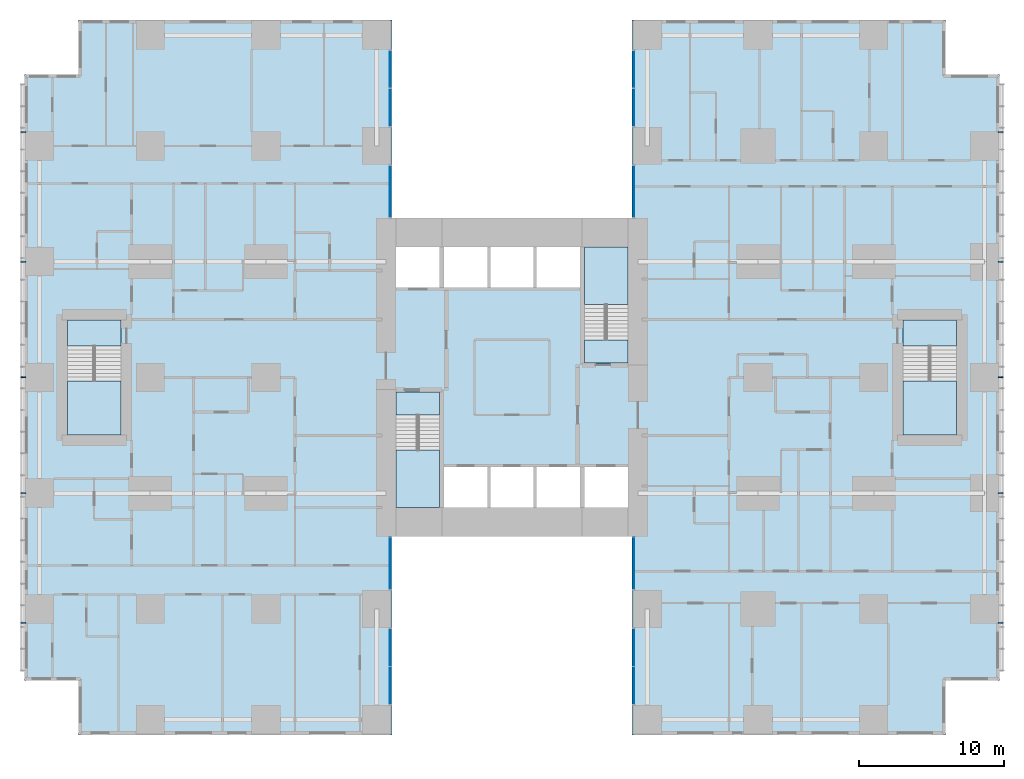
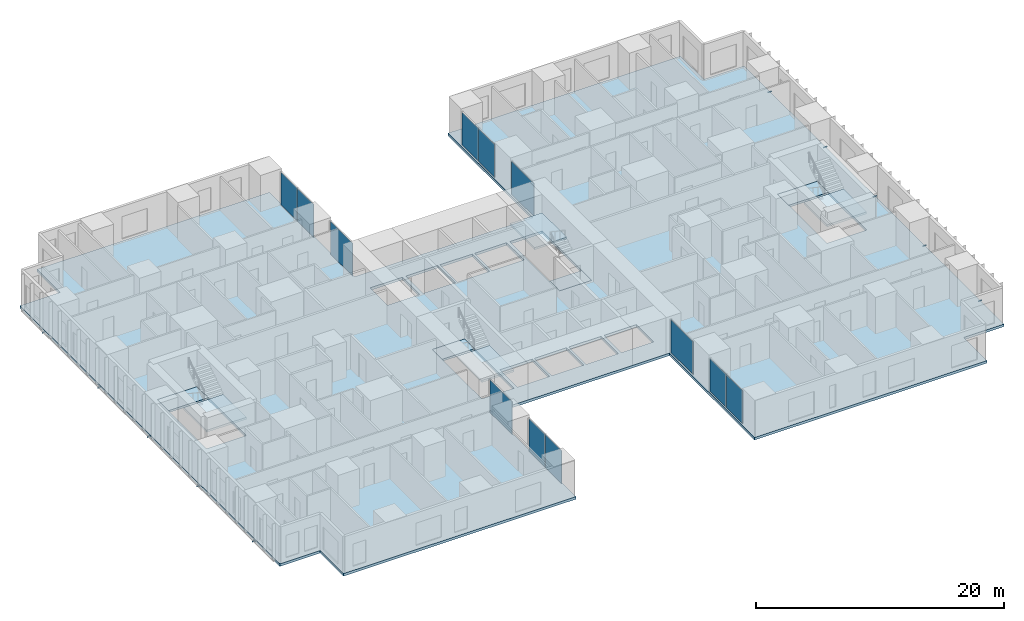
# One storey, part 7 of 20: 12 plates, 10 members, 9 slabs, 12 elements without a shape of their own.
"""IFC4 building model written with IfcOpenShell, lengths in metres."""

from ifc_helpers import new_model, si_unit, direction, frame, origin, origin_2d, place, context, subcontext, project, spatial, polyline, rectangle, hollow_rectangle, outline, extrude, material, layer, layer_set, material_profile, profile_set, type_object, element, aggregate, save


model = new_model("IFC4")

# Units and contexts
model_context = context("Model", 3, precision=1e-05, world=origin(), true_north=direction((0.0, 1.0)))
body_context = subcontext(model_context, "Body", "Model", "MODEL_VIEW")
ifc_project = project(units=[si_unit("LENGTHUNIT", "METRE"), si_unit("AREAUNIT", "SQUARE_METRE"), si_unit("VOLUMEUNIT", "CUBIC_METRE"), si_unit("PLANEANGLEUNIT", "RADIAN"), si_unit("MASSUNIT", "GRAM", prefix="KILO")], contexts=[model_context])

# Site, building, storey
site_placement = place(None, origin())
site = spatial("IfcSite", under=ifc_project, at=site_placement, CompositionType="ELEMENT")
building_placement = place(site_placement, origin())
building = spatial("IfcBuilding", under=site, at=building_placement, Name="Cleftline Residences", CompositionType="ELEMENT")
storey_placement = place(building_placement, frame((0.0, 0.0, 150.199951171875)))
storey = spatial("IfcBuildingStorey", under=building, at=storey_placement, Name="L39", CompositionType="ELEMENT", Elevation=150.199951171875)

# Members
ifc_material_1 = material(Name="Steel S355, hot-dip galvanised", Category="steel")
ifc_material_profile = material_profile(ifc_material_1, hollow_rectangle(XDim=0.10009765625, YDim=0.10009765625, WallThickness=0.008056640625, InnerFilletRadius=0.008056640625, OuterFilletRadius=0.011962890625, at=origin_2d()))
ifc_profile_set = profile_set([ifc_material_profile], Name="Steel S355, hot-dip galvanised")
member_type = type_object("IfcMemberType", Name="BAGUETTE BRACKET SHS 100X100X8", PredefinedType="USERDEFINED", material=ifc_profile_set)
for number, where, z_axis, x_axis, name in (
    (1, (66.60009765625, 7.050048828125, -0.14990234375), (1.0, 0.0, 0.0), (0.0, 1.0, 0.0), "Baguette bracket"),
    (2, (66.60009765625, 16.0, -0.14990234375), (1.0, 0.0, 0.0), (0.0, 1.0, 0.0), "Baguette bracket"),
    (3, (66.60009765625, 24.0, -0.14990234375), (1.0, 0.0, 0.0), (0.0, 1.0, 0.0), "Baguette bracket"),
    (4, (66.60009765625, 32.0, -0.14990234375), (1.0, 0.0, 0.0), (0.0, 1.0, 0.0), "Baguette bracket"),
    (5, (66.60009765625, 40.949951171875, -0.14990234375), (1.0, 0.0, 0.0), (0.0, 1.0, 0.0), "Baguette bracket"),
    (6, (-0.60009765625, 40.949951171875, -0.14990234375), (-1.0, 0.0, 0.0), (0.0, -1.0, 0.0), "Baguette bracket"),
    (7, (-0.60009765625, 32.0, -0.14990234375), (-1.0, 0.0, 0.0), (0.0, -1.0, 0.0), "Baguette bracket"),
    (8, (-0.60009765625, 24.0, -0.14990234375), (-1.0, 0.0, 0.0), (0.0, -1.0, 0.0), "Baguette bracket"),
    (9, (-0.60009765625, 16.0, -0.14990234375), (-1.0, 0.0, 0.0), (0.0, -1.0, 0.0), "Baguette bracket"),
    (10, (-0.60009765625, 7.050048828125, -0.14990234375), (-1.0, 0.0, 0.0), (0.0, -1.0, 0.0), "Baguette bracket"),
):
    element("IfcMember", number, at=place(storey_placement, frame(where, z_axis=z_axis, x_axis=x_axis)), inside=storey, type_object=member_type, Name=name, ObjectType="BAGUETTE BRACKET", PredefinedType="USERDEFINED", context=body_context, shape_type="SweptSolid", body=[
        extrude(hollow_rectangle(XDim=0.10009765625, YDim=0.10009765625, WallThickness=0.008056640625, InnerFilletRadius=0.008056640625, OuterFilletRadius=0.011962890625, at=origin_2d()), origin(), (0.0, 0.0, 1.0), 0.349853515625),
    ])

# Curtain wall, plates
ifc_material_2 = material(Name="Aluminium framed curtain wall", Category="aluminium")
ifc_layer_1 = layer(ifc_material_2, 0.199951171875)
ifc_layer_set_1 = layer_set([ifc_layer_1], Name="CW1 CLEFT GLAZING")
curtain_wall_type = type_object("IfcCurtainWallType", Name="CW1 CLEFT GLAZING", PredefinedType="NOTDEFINED", material=ifc_layer_set_1)
curtain_wall_1_placement = place(storey_placement, origin())
curtain_wall_1 = element("IfcCurtainWall", 11, at=curtain_wall_1_placement, inside=storey, type_object=curtain_wall_type, Name="Curtain wall CW1", PredefinedType="NOTDEFINED")
ifc_material_3 = material(Name="Laminated clear glass", Category="glass")
ifc_layer_2 = layer(ifc_material_3, 0.028076171875)
ifc_layer_set_2 = layer_set([ifc_layer_2], Name="CW1 GLASS PANEL")
plate_type = type_object("IfcPlateType", Name="CW1 GLASS PANEL", PredefinedType="CURTAIN_PANEL", material=ifc_layer_set_2)
plate_1_placement = place(storey_placement, frame((24.574951171875, 2.702392578125, 0.06005859375), z_axis=(0.0, 0.0, 1.0), x_axis=(0.0, 1.0, 0.0)))
plate_1 = element("IfcPlate", 12, at=plate_1_placement, type_object=plate_type, Name="CW1 panel 1.1", PredefinedType="CURTAIN_PANEL", context=body_context, shape_type="SweptSolid", body=[
    extrude(rectangle(XDim=2.5849609375, YDim=0.028076171875, at=origin_2d()), origin(), (0.0, 0.0, 1.0), 3.22998046875),
])
plate_2_placement = place(storey_placement, frame((24.574951171875, 5.347412109375, 0.06005859375), z_axis=(0.0, 0.0, 1.0), x_axis=(0.0, 1.0, 0.0)))
plate_2 = element("IfcPlate", 13, at=plate_2_placement, type_object=plate_type, Name="CW1 panel 2.1", PredefinedType="CURTAIN_PANEL", context=body_context, shape_type="SweptSolid", body=[
    extrude(rectangle(XDim=2.5849609375, YDim=0.028076171875, at=origin_2d()), origin(), (0.0, 0.0, 1.0), 3.22998046875),
])
aggregate(curtain_wall_1, [plate_1, plate_2])

# Curtain wall, plate
curtain_wall_2_placement = place(storey_placement, origin())
curtain_wall_2 = element("IfcCurtainWall", 14, at=curtain_wall_2_placement, inside=storey, type_object=curtain_wall_type, Name="Curtain wall CW1", PredefinedType="NOTDEFINED")
plate_3_placement = place(storey_placement, frame((24.574951171875, 11.14990234375, 0.06005859375), z_axis=(0.0, 0.0, 1.0), x_axis=(0.0, 1.0, 0.0)))
plate_3 = element("IfcPlate", 15, at=plate_3_placement, type_object=plate_type, Name="CW1 panel 1.1", PredefinedType="CURTAIN_PANEL", context=body_context, shape_type="SweptSolid", body=[
    extrude(rectangle(XDim=3.580078125, YDim=0.028076171875, at=origin_2d()), origin(), (0.0, 0.0, 1.0), 3.22998046875),
])
aggregate(curtain_wall_2, [plate_3])

curtain_wall_3_placement = place(storey_placement, origin())
curtain_wall_3 = element("IfcCurtainWall", 16, at=curtain_wall_3_placement, inside=storey, type_object=curtain_wall_type, Name="Curtain wall CW1", PredefinedType="NOTDEFINED")
plate_4_placement = place(storey_placement, frame((41.425048828125, 11.14990234375, 0.06005859375), z_axis=(0.0, 0.0, 1.0), x_axis=(0.0, -1.0, 0.0)))
plate_4 = element("IfcPlate", 17, at=plate_4_placement, type_object=plate_type, Name="CW1 panel 1.1", PredefinedType="CURTAIN_PANEL", context=body_context, shape_type="SweptSolid", body=[
    extrude(rectangle(XDim=3.580078125, YDim=0.028076171875, at=origin_2d()), origin(), (0.0, 0.0, 1.0), 3.22998046875),
])
aggregate(curtain_wall_3, [plate_4])

# Curtain wall, plates
curtain_wall_4_placement = place(storey_placement, origin())
curtain_wall_4 = element("IfcCurtainWall", 18, at=curtain_wall_4_placement, inside=storey, type_object=curtain_wall_type, Name="Curtain wall CW1", PredefinedType="NOTDEFINED")
plate_5_placement = place(storey_placement, frame((41.425048828125, 5.347412109375, 0.06005859375), z_axis=(0.0, 0.0, 1.0), x_axis=(0.0, -1.0, 0.0)))
plate_5 = element("IfcPlate", 19, at=plate_5_placement, type_object=plate_type, Name="CW1 panel 1.1", PredefinedType="CURTAIN_PANEL", context=body_context, shape_type="SweptSolid", body=[
    extrude(rectangle(XDim=2.5849609375, YDim=0.028076171875, at=origin_2d()), origin(), (0.0, 0.0, 1.0), 3.22998046875),
])
plate_6_placement = place(storey_placement, frame((41.425048828125, 2.702392578125, 0.06005859375), z_axis=(0.0, 0.0, 1.0), x_axis=(0.0, -1.0, 0.0)))
plate_6 = element("IfcPlate", 20, at=plate_6_placement, type_object=plate_type, Name="CW1 panel 2.1", PredefinedType="CURTAIN_PANEL", context=body_context, shape_type="SweptSolid", body=[
    extrude(rectangle(XDim=2.5849609375, YDim=0.028076171875, at=origin_2d()), origin(), (0.0, 0.0, 1.0), 3.22998046875),
])
aggregate(curtain_wall_4, [plate_5, plate_6])

curtain_wall_5_placement = place(storey_placement, origin())
curtain_wall_5 = element("IfcCurtainWall", 21, at=curtain_wall_5_placement, inside=storey, type_object=curtain_wall_type, Name="Curtain wall CW1", PredefinedType="NOTDEFINED")
plate_7_placement = place(storey_placement, frame((41.425048828125, 45.297607421875, 0.06005859375), z_axis=(0.0, 0.0, 1.0), x_axis=(0.0, -1.0, 0.0)))
plate_7 = element("IfcPlate", 22, at=plate_7_placement, type_object=plate_type, Name="CW1 panel 1.1", PredefinedType="CURTAIN_PANEL", context=body_context, shape_type="SweptSolid", body=[
    extrude(rectangle(XDim=2.5849609375, YDim=0.028076171875, at=origin_2d()), origin(), (0.0, 0.0, 1.0), 3.22998046875),
])
plate_8_placement = place(storey_placement, frame((41.425048828125, 42.652587890625, 0.06005859375), z_axis=(0.0, 0.0, 1.0), x_axis=(0.0, -1.0, 0.0)))
plate_8 = element("IfcPlate", 23, at=plate_8_placement, type_object=plate_type, Name="CW1 panel 2.1", PredefinedType="CURTAIN_PANEL", context=body_context, shape_type="SweptSolid", body=[
    extrude(rectangle(XDim=2.5849609375, YDim=0.028076171875, at=origin_2d()), origin(), (0.0, 0.0, 1.0), 3.22998046875),
])
aggregate(curtain_wall_5, [plate_7, plate_8])

# Curtain wall, plate
curtain_wall_6_placement = place(storey_placement, origin())
curtain_wall_6 = element("IfcCurtainWall", 24, at=curtain_wall_6_placement, inside=storey, type_object=curtain_wall_type, Name="Curtain wall CW1", PredefinedType="NOTDEFINED")
plate_9_placement = place(storey_placement, frame((41.425048828125, 36.85009765625, 0.06005859375), z_axis=(0.0, 0.0, 1.0), x_axis=(0.0, -1.0, 0.0)))
plate_9 = element("IfcPlate", 25, at=plate_9_placement, type_object=plate_type, Name="CW1 panel 1.1", PredefinedType="CURTAIN_PANEL", context=body_context, shape_type="SweptSolid", body=[
    extrude(rectangle(XDim=3.580078125, YDim=0.028076171875, at=origin_2d()), origin(), (0.0, 0.0, 1.0), 3.22998046875),
])
aggregate(curtain_wall_6, [plate_9])

curtain_wall_7_placement = place(storey_placement, origin())
curtain_wall_7 = element("IfcCurtainWall", 26, at=curtain_wall_7_placement, inside=storey, type_object=curtain_wall_type, Name="Curtain wall CW1", PredefinedType="NOTDEFINED")
plate_10_placement = place(storey_placement, frame((24.574951171875, 36.85009765625, 0.06005859375), z_axis=(0.0, 0.0, 1.0), x_axis=(0.0, 1.0, 0.0)))
plate_10 = element("IfcPlate", 27, at=plate_10_placement, type_object=plate_type, Name="CW1 panel 1.1", PredefinedType="CURTAIN_PANEL", context=body_context, shape_type="SweptSolid", body=[
    extrude(rectangle(XDim=3.580078125, YDim=0.028076171875, at=origin_2d()), origin(), (0.0, 0.0, 1.0), 3.22998046875),
])
aggregate(curtain_wall_7, [plate_10])

# Curtain wall, plates
curtain_wall_8_placement = place(storey_placement, origin())
curtain_wall_8 = element("IfcCurtainWall", 28, at=curtain_wall_8_placement, inside=storey, type_object=curtain_wall_type, Name="Curtain wall CW1", PredefinedType="NOTDEFINED")
plate_11_placement = place(storey_placement, frame((24.574951171875, 42.652587890625, 0.06005859375), z_axis=(0.0, 0.0, 1.0), x_axis=(0.0, 1.0, 0.0)))
plate_11 = element("IfcPlate", 29, at=plate_11_placement, type_object=plate_type, Name="CW1 panel 1.1", PredefinedType="CURTAIN_PANEL", context=body_context, shape_type="SweptSolid", body=[
    extrude(rectangle(XDim=2.5849609375, YDim=0.028076171875, at=origin_2d()), origin(), (0.0, 0.0, 1.0), 3.22998046875),
])
plate_12_placement = place(storey_placement, frame((24.574951171875, 45.297607421875, 0.06005859375), z_axis=(0.0, 0.0, 1.0), x_axis=(0.0, 1.0, 0.0)))
plate_12 = element("IfcPlate", 30, at=plate_12_placement, type_object=plate_type, Name="CW1 panel 2.1", PredefinedType="CURTAIN_PANEL", context=body_context, shape_type="SweptSolid", body=[
    extrude(rectangle(XDim=2.5849609375, YDim=0.028076171875, at=origin_2d()), origin(), (0.0, 0.0, 1.0), 3.22998046875),
])
aggregate(curtain_wall_8, [plate_11, plate_12])

# Slab
ifc_material_4 = material(Name="Concrete B45", Category="concrete")
ifc_layer_3 = layer(ifc_material_4, 0.25)
ifc_layer_set_3 = layer_set([ifc_layer_3], Name="FLOOR SLAB 250")
slab_type_1 = type_object("IfcSlabType", Name="FLOOR SLAB 250", PredefinedType="FLOOR", material=ifc_layer_set_3)
slab_1_placement = place(storey_placement, frame((0.0, 0.0, -0.25)))
element("IfcSlab", 31, at=slab_1_placement, inside=storey, type_object=slab_type_1, Name="Floor slab L39", PredefinedType="FLOOR", context=body_context, shape_type="SweptSolid", body=[
    extrude(outline(polyline([(24.699951171875, 13.0), (41.300048828125, 13.0), (41.300048828125, -0.699951171875), (62.949951171875, -0.699951171875), (62.949951171875, 3.050048828125), (66.699951171875, 3.050048828125), (66.699951171875, 44.949951171875), (62.949951171875, 44.949951171875), (62.949951171875, 48.699951171875), (41.300048828125, 48.699951171875), (41.300048828125, 35.0), (24.699951171875, 35.0), (24.699951171875, 48.699951171875), (3.050048828125, 48.699951171875), (3.050048828125, 44.949951171875), (-0.699951171875, 44.949951171875), (-0.699951171875, 3.050048828125), (3.050048828125, 3.050048828125), (3.050048828125, -0.699951171875), (24.699951171875, -0.699951171875), (24.699951171875, 13.0)]), holes=[polyline([(28.0, 15.0), (28.0, 23.0), (25.0, 23.0), (25.0, 15.0), (28.0, 15.0)]), polyline([(41.0, 25.0), (41.0, 33.0), (38.0, 33.0), (38.0, 25.0), (41.0, 25.0)]), polyline([(28.0, 30.199951171875), (28.0, 33.0), (25.0, 33.0), (25.0, 30.199951171875), (28.0, 30.199951171875)]), polyline([(41.0, 15.0), (41.0, 17.800048828125), (38.0, 17.800048828125), (38.0, 15.0), (41.0, 15.0)]), polyline([(31.300048828125, 15.0), (31.300048828125, 17.800048828125), (28.300048828125, 17.800048828125), (28.300048828125, 15.0), (31.300048828125, 15.0)]), polyline([(34.5, 15.0), (34.5, 17.800048828125), (31.5, 17.800048828125), (31.5, 15.0), (34.5, 15.0)]), polyline([(37.699951171875, 15.0), (37.699951171875, 17.800048828125), (34.699951171875, 17.800048828125), (34.699951171875, 15.0), (37.699951171875, 15.0)]), polyline([(31.300048828125, 30.199951171875), (31.300048828125, 33.0), (28.300048828125, 33.0), (28.300048828125, 30.199951171875), (31.300048828125, 30.199951171875)]), polyline([(34.5, 30.199951171875), (34.5, 33.0), (31.5, 33.0), (31.5, 30.199951171875), (34.5, 30.199951171875)]), polyline([(37.699951171875, 30.199951171875), (37.699951171875, 33.0), (34.699951171875, 33.0), (34.699951171875, 30.199951171875), (37.699951171875, 30.199951171875)]), polyline([(63.72509765625, 20.02490234375), (63.72509765625, 27.97509765625), (60.02490234375, 27.97509765625), (60.02490234375, 20.02490234375), (63.72509765625, 20.02490234375)]), polyline([(5.97509765625, 20.02490234375), (5.97509765625, 27.97509765625), (2.27490234375, 27.97509765625), (2.27490234375, 20.02490234375), (5.97509765625, 20.02490234375)])]), origin(), (0.0, 0.0, 1.0), 0.25),
])

# Stair, slabs
ifc_material_5 = material(Name="Concrete B45, stone treads", Category="masonry")
stair_type_1 = type_object("IfcStairType", Name="STAIR A 1450 WIDE 180 RISER", PredefinedType="HALF_TURN_STAIR", material=ifc_material_5)
stair_1_placement = place(storey_placement, origin())
stair_1 = element("IfcStair", 32, at=stair_1_placement, inside=storey, type_object=stair_type_1, Name="Stair A L39", PredefinedType="HALF_TURN_STAIR")
ifc_material_6 = material(Name="Concrete B45", Category="concrete")
ifc_layer_4 = layer(ifc_material_6, 0.199951171875)
ifc_layer_set_4 = layer_set([ifc_layer_4], Name="STAIR LANDING 200")
slab_type_2 = type_object("IfcSlabType", Name="STAIR LANDING 200", PredefinedType="LANDING", material=ifc_layer_set_4)
slab_2_placement = place(storey_placement, frame((0.0, 0.0, -0.199951171875)))
slab_2 = element("IfcSlab", 33, at=slab_2_placement, type_object=slab_type_2, Name="ST-A landing 1", PredefinedType="LANDING", context=body_context, shape_type="SweptSolid", body=[
    extrude(outline(polyline([(25.0, 21.39990234375), (28.0, 21.39990234375), (28.0, 23.0), (25.0, 23.0), (25.0, 21.39990234375)])), origin(), (0.0, 0.0, 1.0), 0.199951171875),
])
slab_3_placement = place(storey_placement, frame((0.0, 0.0, 1.60009765625)))
slab_3 = element("IfcSlab", 34, at=slab_3_placement, type_object=slab_type_2, Name="ST-A landing 2", PredefinedType="LANDING", context=body_context, shape_type="SweptSolid", body=[
    extrude(outline(polyline([(25.0, 15.0), (28.0, 15.0), (28.0, 18.969970703125), (25.0, 18.969970703125), (25.0, 15.0)])), origin(), (0.0, 0.0, 1.0), 0.199951171875),
])
aggregate(stair_1, [slab_2, slab_3])

ifc_material_7 = material(Name="Concrete B45, stone treads", Category="masonry")
stair_type_2 = type_object("IfcStairType", Name="STAIR B 1450 WIDE 180 RISER", PredefinedType="HALF_TURN_STAIR", material=ifc_material_7)
stair_2_placement = place(storey_placement, origin())
stair_2 = element("IfcStair", 35, at=stair_2_placement, inside=storey, type_object=stair_type_2, Name="Stair B L39", PredefinedType="HALF_TURN_STAIR")
slab_4_placement = place(storey_placement, frame((0.0, 0.0, -0.199951171875)))
slab_4 = element("IfcSlab", 36, at=slab_4_placement, type_object=slab_type_2, Name="ST-B landing 1", PredefinedType="LANDING", context=body_context, shape_type="SweptSolid", body=[
    extrude(outline(polyline([(38.0, 25.0), (41.0, 25.0), (41.0, 26.60009765625), (38.0, 26.60009765625), (38.0, 25.0)])), origin(), (0.0, 0.0, 1.0), 0.199951171875),
])
slab_5_placement = place(storey_placement, frame((0.0, 0.0, 1.60009765625)))
slab_5 = element("IfcSlab", 37, at=slab_5_placement, type_object=slab_type_2, Name="ST-B landing 2", PredefinedType="LANDING", context=body_context, shape_type="SweptSolid", body=[
    extrude(outline(polyline([(38.0, 29.030029296875), (41.0, 29.030029296875), (41.0, 33.0), (38.0, 33.0), (38.0, 29.030029296875)])), origin(), (0.0, 0.0, 1.0), 0.199951171875),
])
aggregate(stair_2, [slab_4, slab_5])

ifc_material_8 = material(Name="Concrete B45, stone treads", Category="masonry")
stair_type_3 = type_object("IfcStairType", Name="STAIR E 1800 WIDE 180 RISER", PredefinedType="HALF_TURN_STAIR", material=ifc_material_8)
stair_3_placement = place(storey_placement, origin())
stair_3 = element("IfcStair", 38, at=stair_3_placement, inside=storey, type_object=stair_type_3, Name="Stair E L39", PredefinedType="HALF_TURN_STAIR")
slab_6_placement = place(storey_placement, frame((0.0, 0.0, -0.199951171875)))
slab_6 = element("IfcSlab", 39, at=slab_6_placement, type_object=slab_type_2, Name="ST-E landing 1", PredefinedType="LANDING", context=body_context, shape_type="SweptSolid", body=[
    extrude(outline(polyline([(60.02490234375, 26.175048828125), (63.72509765625, 26.175048828125), (63.72509765625, 27.97509765625), (60.02490234375, 27.97509765625), (60.02490234375, 26.175048828125)])), origin(), (0.0, 0.0, 1.0), 0.199951171875),
])
slab_7_placement = place(storey_placement, frame((0.0, 0.0, 1.60009765625)))
slab_7 = element("IfcSlab", 40, at=slab_7_placement, type_object=slab_type_2, Name="ST-E landing 2", PredefinedType="LANDING", context=body_context, shape_type="SweptSolid", body=[
    extrude(outline(polyline([(60.02490234375, 20.02490234375), (63.72509765625, 20.02490234375), (63.72509765625, 23.7451171875), (60.02490234375, 23.7451171875), (60.02490234375, 20.02490234375)])), origin(), (0.0, 0.0, 1.0), 0.199951171875),
])
aggregate(stair_3, [slab_6, slab_7])

ifc_material_9 = material(Name="Concrete B45, stone treads", Category="masonry")
stair_type_4 = type_object("IfcStairType", Name="STAIR W 1800 WIDE 180 RISER", PredefinedType="HALF_TURN_STAIR", material=ifc_material_9)
stair_4_placement = place(storey_placement, origin())
stair_4 = element("IfcStair", 41, at=stair_4_placement, inside=storey, type_object=stair_type_4, Name="Stair W L39", PredefinedType="HALF_TURN_STAIR")
slab_8_placement = place(storey_placement, frame((0.0, 0.0, -0.199951171875)))
slab_8 = element("IfcSlab", 42, at=slab_8_placement, type_object=slab_type_2, Name="ST-W landing 1", PredefinedType="LANDING", context=body_context, shape_type="SweptSolid", body=[
    extrude(outline(polyline([(2.27490234375, 26.175048828125), (5.97509765625, 26.175048828125), (5.97509765625, 27.97509765625), (2.27490234375, 27.97509765625), (2.27490234375, 26.175048828125)])), origin(), (0.0, 0.0, 1.0), 0.199951171875),
])
slab_9_placement = place(storey_placement, frame((0.0, 0.0, 1.60009765625)))
slab_9 = element("IfcSlab", 43, at=slab_9_placement, type_object=slab_type_2, Name="ST-W landing 2", PredefinedType="LANDING", context=body_context, shape_type="SweptSolid", body=[
    extrude(outline(polyline([(2.27490234375, 20.02490234375), (5.97509765625, 20.02490234375), (5.97509765625, 23.7451171875), (2.27490234375, 23.7451171875), (2.27490234375, 20.02490234375)])), origin(), (0.0, 0.0, 1.0), 0.199951171875),
])
aggregate(stair_4, [slab_8, slab_9])

save(model, "model.ifc")
